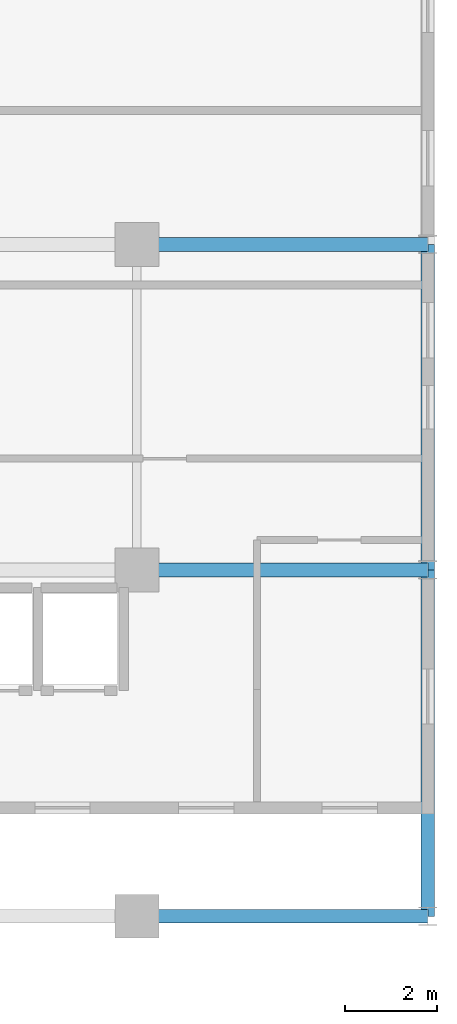
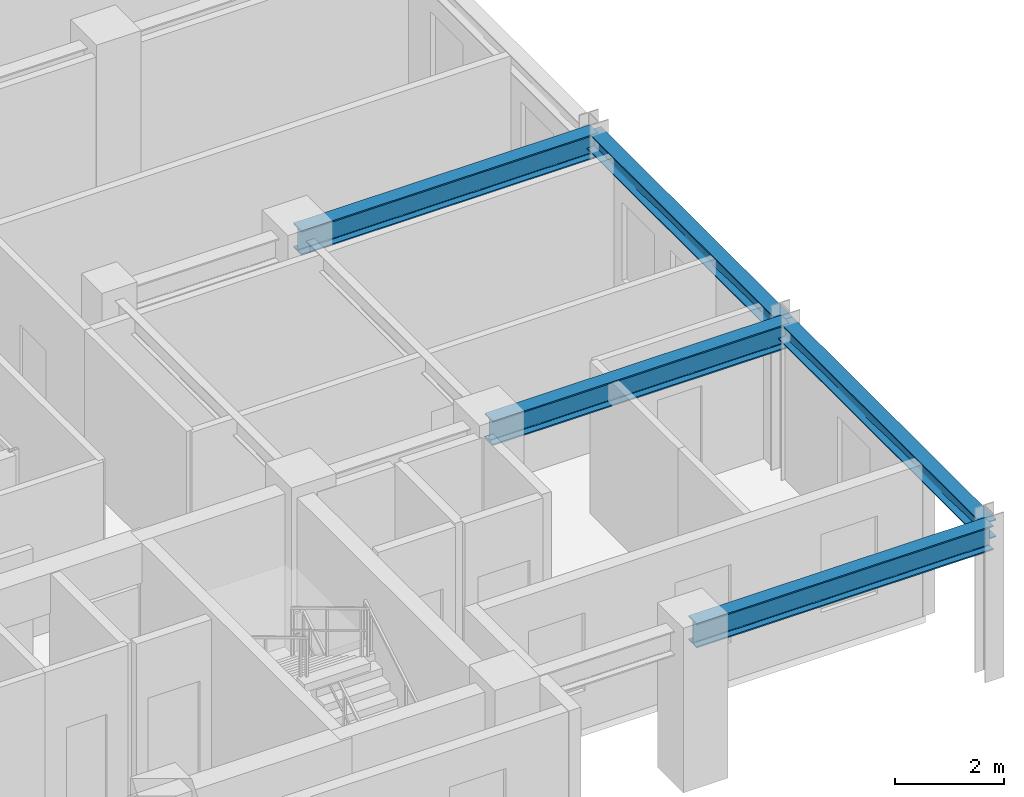
# One storey, part 8 of 24: 5 beams.
"""IFC4 building model written with IfcOpenShell, lengths in metres."""

from ifc_helpers import new_model, si_unit, direction, frame, origin, origin_2d, place, context, subcontext, project, spatial, i_section, extrude, source, transform, mapped, material, material_profile, profile_set, type_object, element, save


model = new_model("IFC4")

# Units and contexts
model_context = context("Model", 3, precision=1e-05, world=origin(), true_north=direction((0.0, 1.0)))
body_context = subcontext(model_context, "Body", "Model", "MODEL_VIEW")
ifc_project = project(units=[si_unit("LENGTHUNIT", "METRE"), si_unit("AREAUNIT", "SQUARE_METRE"), si_unit("VOLUMEUNIT", "CUBIC_METRE"), si_unit("PLANEANGLEUNIT", "RADIAN"), si_unit("MASSUNIT", "GRAM", prefix="KILO")], contexts=[model_context])

# Site, building, storey
site_placement = place(None, origin())
site = spatial("IfcSite", under=ifc_project, at=site_placement, CompositionType="ELEMENT")
building_placement = place(site_placement, origin())
building = spatial("IfcBuilding", under=site, at=building_placement, Name="Kaliganga Portal Commons", CompositionType="ELEMENT")
storey_placement = place(building_placement, frame((0.0, 0.0, 242.5)))
storey = spatial("IfcBuildingStorey", under=building, at=storey_placement, Name="L62", CompositionType="ELEMENT", Elevation=242.5)

# Beams
ifc_material = material(Name="Structural steel S355J2", Category="steel")
ifc_material_profile_1 = material_profile(ifc_material, i_section(OverallWidth=0.300048828125, OverallDepth=0.550048828125, WebThickness=0.014892578125, FlangeThickness=0.029052734375, FilletRadius=0.027099609375, at=origin_2d()), Name="HE 550 B")
ifc_profile_set_1 = profile_set([ifc_material_profile_1], Name="Structural steel S355J2 wide-flange")
beam_type_1 = type_object("IfcBeamType", Name="BM-GIRD-550", PredefinedType="USERDEFINED", material=ifc_profile_set_1)
shared_shape_1 = source(origin(), body_context, "Body", "SweptSolid", [
    extrude(i_section(OverallWidth=0.300048828125, OverallDepth=0.550048828125, WebThickness=0.014892578125, FlangeThickness=0.029052734375, FilletRadius=0.027099609375, at=origin_2d()), origin(), (0.0, 0.0, 1.0), 6.300048828125),
])
for number, where, z_axis, x_axis, name in (
    (1, (54.39990234375, 7.050048828125, 3.1650390625), (1.0, 0.0, 0.0), (0.0, 1.0, 0.0), "BM G L62 BKE70 2"),
    (2, (54.39990234375, 14.550048828125, 3.1650390625), (1.0, 0.0, 0.0), (0.0, 1.0, 0.0), "BM G L62 BKE146 2"),
    (3, (54.39990234375, 21.60009765625, 3.1650390625), (1.0, 0.0, 0.0), (0.0, 1.0, 0.0), "BM G L62 BKE216 2"),
):
    element("IfcBeam", number, at=place(storey_placement, frame(where, z_axis=z_axis, x_axis=x_axis)), inside=storey, type_object=beam_type_1, Name=name, ObjectType="GIRDER", PredefinedType="USERDEFINED", context=body_context, shape_type="MappedRepresentation", body=[
        mapped(shared_shape_1, transform((0.0, 0.0, 0.0), x_axis=(1.0, 0.0, 0.0), y_axis=(0.0, 1.0, 0.0), z_axis=(0.0, 0.0, 1.0), scale=1.0)),
    ])
ifc_material_profile_2 = material_profile(ifc_material, i_section(OverallWidth=0.300048828125, OverallDepth=0.39990234375, WebThickness=0.013427734375, FlangeThickness=0.02392578125, FilletRadius=0.027099609375, at=origin_2d()), Name="HE 400 B")
ifc_profile_set_2 = profile_set([ifc_material_profile_2], Name="Structural steel S355J2 wide-flange")
beam_type_2 = type_object("IfcBeamType", Name="BM-SPAND-400", PredefinedType="SPANDREL", material=ifc_profile_set_2)
shared_shape_2 = source(origin(), body_context, "Body", "SweptSolid", [
    extrude(i_section(OverallWidth=0.300048828125, OverallDepth=0.39990234375, WebThickness=0.013427734375, FlangeThickness=0.02392578125, FilletRadius=0.027099609375, at=origin_2d()), origin(), (0.0, 0.0, 1.0), 7.5),
])
beam_1_placement = place(storey_placement, frame((60.699951171875, 7.050048828125, 3.239990234375), z_axis=(0.0, 1.0, 0.0), x_axis=(-1.0, 0.0, 0.0)))
element("IfcBeam", 4, at=beam_1_placement, inside=storey, type_object=beam_type_2, Name="BM SP L62 BE 1", PredefinedType="SPANDREL", context=body_context, shape_type="MappedRepresentation", body=[
    mapped(shared_shape_2, transform((0.0, 0.0, 0.0), x_axis=(1.0, 0.0, 0.0), y_axis=(0.0, 1.0, 0.0), z_axis=(0.0, 0.0, 1.0), scale=1.0)),
])
shared_shape_3 = source(origin(), body_context, "Body", "SweptSolid", [
    extrude(i_section(OverallWidth=0.300048828125, OverallDepth=0.39990234375, WebThickness=0.013427734375, FlangeThickness=0.02392578125, FilletRadius=0.027099609375, at=origin_2d()), origin(), (0.0, 0.0, 1.0), 7.050048828125),
])
beam_2_placement = place(storey_placement, frame((60.699951171875, 14.550048828125, 3.239990234375), z_axis=(0.0, 1.0, 0.0), x_axis=(-1.0, 0.0, 0.0)))
element("IfcBeam", 5, at=beam_2_placement, inside=storey, type_object=beam_type_2, Name="BM SP L62 BE 2", PredefinedType="SPANDREL", context=body_context, shape_type="MappedRepresentation", body=[
    mapped(shared_shape_3, transform((0.0, 0.0, 0.0), x_axis=(1.0, 0.0, 0.0), y_axis=(0.0, 1.0, 0.0), z_axis=(0.0, 0.0, 1.0), scale=1.0)),
])

save(model, "model.ifc")
